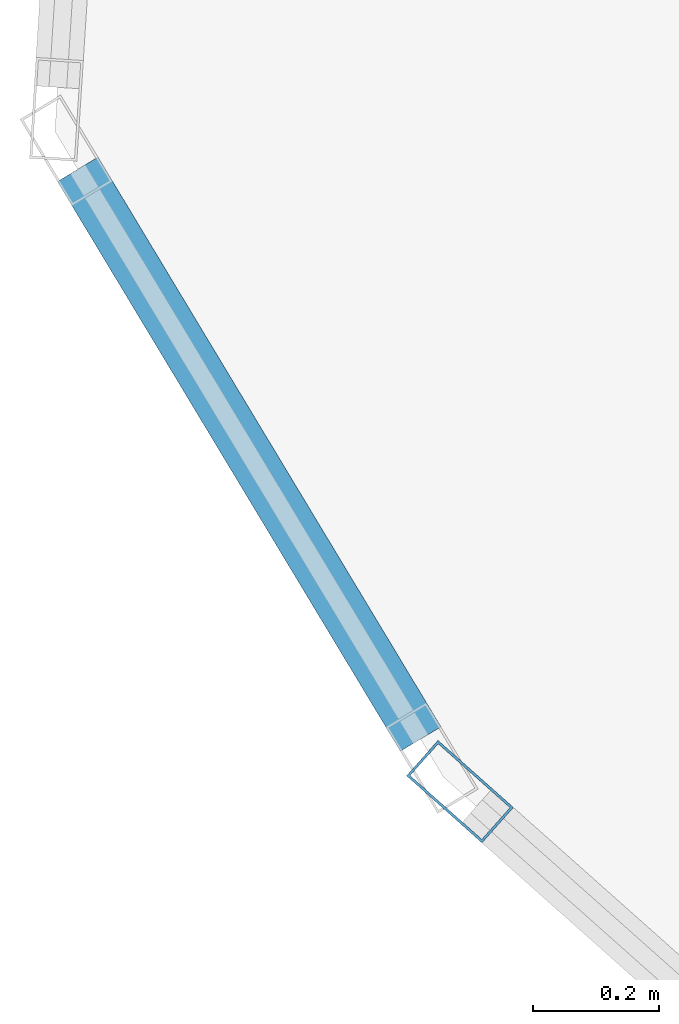
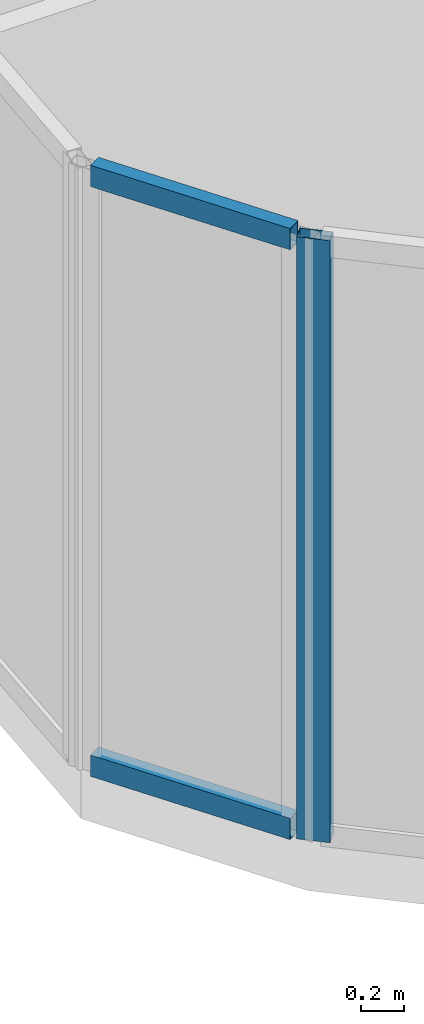
# One storey, part 4 of 27: 3 members, 2 elements without a shape of their own.
"""IFC4 building model written with IfcOpenShell, lengths in metres."""

from ifc_helpers import new_model, si_unit, direction, frame, origin, origin_2d, place, context, subcontext, project, spatial, hollow_rectangle, extrude, material, layer, layer_set, material_profile, profile_set, type_object, element, aggregate, save


model = new_model("IFC4")

# Units and contexts
model_context = context("Model", 3, precision=1e-05, world=origin(), true_north=direction((0.0, 1.0)))
body_context = subcontext(model_context, "Body", "Model", "MODEL_VIEW")
ifc_project = project(units=[si_unit("LENGTHUNIT", "METRE"), si_unit("AREAUNIT", "SQUARE_METRE"), si_unit("VOLUMEUNIT", "CUBIC_METRE"), si_unit("PLANEANGLEUNIT", "RADIAN"), si_unit("MASSUNIT", "GRAM", prefix="KILO")], contexts=[model_context])

# Site, building, storey
site_placement = place(None, origin())
site = spatial("IfcSite", under=ifc_project, at=site_placement, CompositionType="ELEMENT")
building_placement = place(site_placement, origin())
building = spatial("IfcBuilding", under=site, at=building_placement, Name="Keshet Zoharim Tower", CompositionType="ELEMENT")
storey_placement = place(building_placement, frame((0.0, 0.0, 269.5)))
storey = spatial("IfcBuildingStorey", under=building, at=storey_placement, Name="L67", CompositionType="ELEMENT", Elevation=269.5)

# Curtain wall, member
ifc_material = material(Name="Aluminium 6063-T6", Category="aluminium")
ifc_layer = layer(ifc_material, 0.260009765625)
ifc_layer_set = layer_set([ifc_layer], Name="Aluminium 6063-T6")
curtain_wall_type = type_object("IfcCurtainWallType", Name="CW-SYS-06", PredefinedType="NOTDEFINED", material=ifc_layer_set)
curtain_wall_1_placement = place(storey_placement, origin())
curtain_wall_1 = element("IfcCurtainWall", 1, at=curtain_wall_1_placement, inside=storey, type_object=curtain_wall_type, Name="L67 Unitised Curtain Wall 16 Part 3", PredefinedType="NOTDEFINED")
ifc_material_profile_1 = material_profile(ifc_material, hollow_rectangle(XDim=0.074951171875, YDim=0.159912109375, WallThickness=0.00390625, at=origin_2d()), Name="MUL-75x160")
ifc_profile_set_1 = profile_set([ifc_material_profile_1], Name="Aluminium 6063-T6")
member_type_1 = type_object("IfcMemberType", Name="CWM-M15", PredefinedType="MULLION", material=ifc_profile_set_1)
member_1_placement = place(storey_placement, frame((4.061279296875, 21.7568359375, 0.0), z_axis=(0.0, 0.0, 1.0), x_axis=(-0.664363838836, -0.747409318679, 0.0)))
member_1 = element("IfcMember", 2, at=member_1_placement, type_object=member_type_1, Name="CW-06 mullion 2", PredefinedType="MULLION", context=body_context, shape_type="SweptSolid", body=[
    extrude(hollow_rectangle(XDim=0.074951171875, YDim=0.159912109375, WallThickness=0.00390625, at=origin_2d()), origin(), (0.0, 0.0, 1.0), 3.389892578125),
])
aggregate(curtain_wall_1, [member_1])

# Curtain wall, members
curtain_wall_2_placement = place(storey_placement, origin())
curtain_wall_2 = element("IfcCurtainWall", 3, at=curtain_wall_2_placement, inside=storey, type_object=curtain_wall_type, Name="L67 Unitised Curtain Wall 01", PredefinedType="NOTDEFINED")
ifc_material_profile_2 = material_profile(ifc_material, hollow_rectangle(XDim=0.074951171875, YDim=0.1201171875, WallThickness=0.00390625, at=origin_2d()), Name="TRN-75x120")
ifc_profile_set_2 = profile_set([ifc_material_profile_2], Name="Aluminium 6063-T6")
member_type_2 = type_object("IfcMemberType", Name="CWT-T12", PredefinedType="USERDEFINED", material=ifc_profile_set_2)
member_2_placement = place(storey_placement, frame((3.9990234375, 21.840087890625, 0.034912109375), z_axis=(-0.515791194107, 0.856714330499, 0.0), x_axis=(-0.856714330499, -0.515791194107, 0.0)))
member_2 = element("IfcMember", 4, at=member_2_placement, type_object=member_type_2, Name="CW-06 transom 1.1", ObjectType="TRANSOM", PredefinedType="USERDEFINED", context=body_context, shape_type="SweptSolid", body=[
    extrude(hollow_rectangle(XDim=0.074951171875, YDim=0.1201171875, WallThickness=0.00390625, at=origin_2d()), origin(), (0.0, 0.0, 1.0), 1.052734375),
])
member_3_placement = place(storey_placement, frame((3.9990234375, 21.840087890625, 3.35498046875), z_axis=(-0.515791194107, 0.856714330499, 0.0), x_axis=(-0.856714330499, -0.515791194107, 0.0)))
member_3 = element("IfcMember", 5, at=member_3_placement, type_object=member_type_2, Name="CW-06 transom 1.2", ObjectType="TRANSOM", PredefinedType="USERDEFINED", context=body_context, shape_type="SweptSolid", body=[
    extrude(hollow_rectangle(XDim=0.074951171875, YDim=0.1201171875, WallThickness=0.00390625, at=origin_2d()), origin(), (0.0, 0.0, 1.0), 1.052734375),
])
aggregate(curtain_wall_2, [member_2, member_3])

save(model, "model.ifc")
